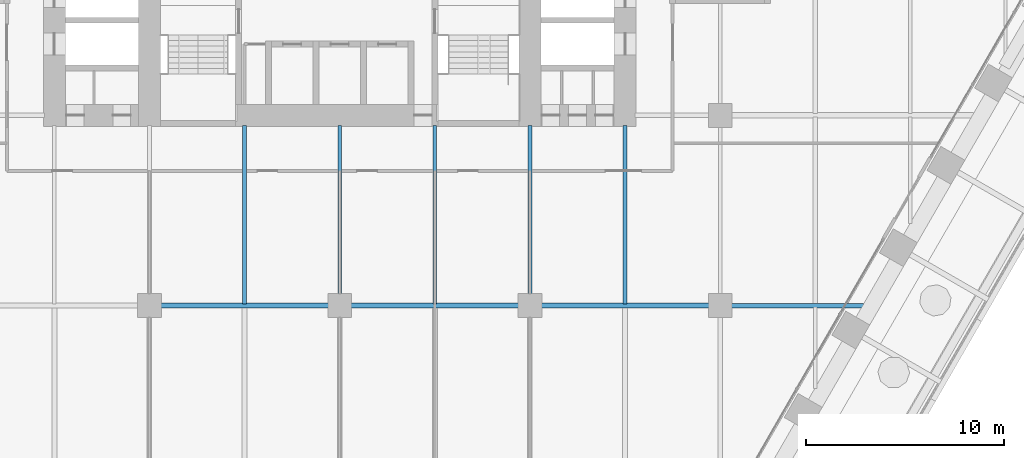
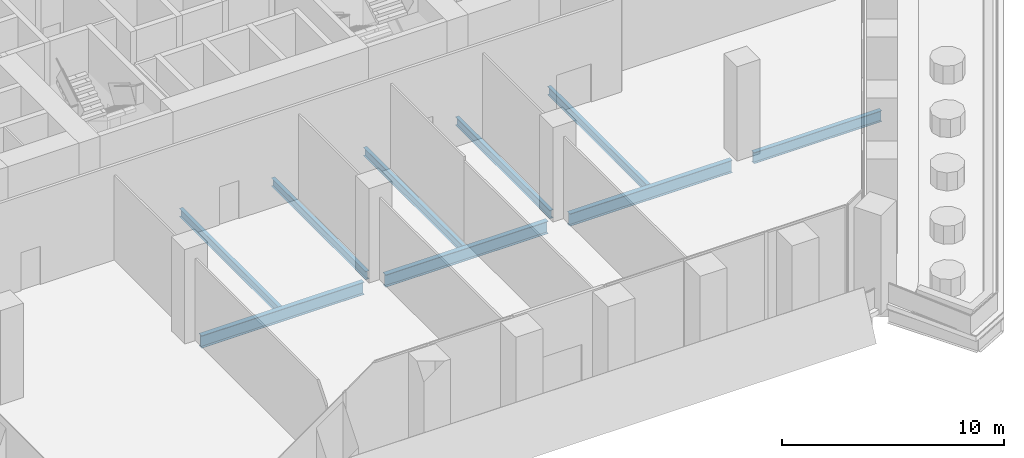
# One storey, part 6 of 32: 9 beams.
"""IFC4 building model written with IfcOpenShell, lengths in metres."""

from ifc_helpers import new_model, si_unit, direction, frame, origin, origin_2d, place, context, subcontext, project, spatial, i_section, extrude, material, material_profile, profile_set, type_object, element, save


model = new_model("IFC4")

# Units and contexts
model_context = context("Model", 3, precision=1e-05, world=origin(), true_north=direction((0.0, 1.0)))
body_context = subcontext(model_context, "Body", "Model", "MODEL_VIEW")
ifc_project = project(units=[si_unit("LENGTHUNIT", "METRE"), si_unit("AREAUNIT", "SQUARE_METRE"), si_unit("VOLUMEUNIT", "CUBIC_METRE"), si_unit("PLANEANGLEUNIT", "RADIAN"), si_unit("MASSUNIT", "GRAM", prefix="KILO")], contexts=[model_context])

# Site, building, storey
site_placement = place(None, origin())
site = spatial("IfcSite", under=ifc_project, at=site_placement, CompositionType="ELEMENT")
building_placement = place(site_placement, origin())
building = spatial("IfcBuilding", under=site, at=building_placement, Name="Kolab Exchange Tower", CompositionType="ELEMENT")
storey_placement = place(building_placement, frame((0.0, 0.0, 60.89990234375)))
storey = spatial("IfcBuildingStorey", under=building, at=storey_placement, Name="L11", CompositionType="ELEMENT", Elevation=60.89990234375)

# Beams
ifc_material = material(Name="Steel S355", Category="steel")
ifc_material_profile_1 = material_profile(ifc_material, i_section(OverallWidth=0.18994140625, OverallDepth=0.45703125, WebThickness=0.009033203125, FlangeThickness=0.014404296875, at=origin_2d()), Name="W460X74")
ifc_profile_set_1 = profile_set([ifc_material_profile_1], Name="Steel S355")
beam_type_1 = type_object("IfcBeamType", Name="FLOOR BEAM W460X74", PredefinedType="BEAM", material=ifc_profile_set_1)
beam_1_placement = place(storey_placement, frame((-4.800048828125, -19.113037109375, -0.478515625), z_axis=(0.0, 1.0, 0.0), x_axis=(-1.0, 0.0, 0.0)))
element("IfcBeam", 1, at=beam_1_placement, inside=storey, type_object=beam_type_1, Name="beam/L11/fr/027", PredefinedType="BEAM", context=body_context, shape_type="SweptSolid", body=[
    extrude(i_section(OverallWidth=0.18994140625, OverallDepth=0.45703125, WebThickness=0.009033203125, FlangeThickness=0.014404296875, at=origin_2d()), origin(), (0.0, 0.0, 1.0), 9.0029296875),
])
beam_2_placement = place(storey_placement, frame((0.0, -18.639892578125, -0.478515625), z_axis=(0.0, 1.0, 0.0), x_axis=(-1.0, 0.0, 0.0)))
element("IfcBeam", 2, at=beam_2_placement, inside=storey, type_object=beam_type_1, Name="beam/L11/fr/031", PredefinedType="BEAM", context=body_context, shape_type="SweptSolid", body=[
    extrude(i_section(OverallWidth=0.18994140625, OverallDepth=0.45703125, WebThickness=0.009033203125, FlangeThickness=0.014404296875, at=origin_2d()), origin(), (0.0, 0.0, 1.0), 8.52978515625),
])
beam_3_placement = place(storey_placement, frame((4.800048828125, -19.113037109375, -0.478515625), z_axis=(0.0, 1.0, 0.0), x_axis=(-1.0, 0.0, 0.0)))
element("IfcBeam", 3, at=beam_3_placement, inside=storey, type_object=beam_type_1, Name="beam/L11/fr/035", PredefinedType="BEAM", context=body_context, shape_type="SweptSolid", body=[
    extrude(i_section(OverallWidth=0.18994140625, OverallDepth=0.45703125, WebThickness=0.009033203125, FlangeThickness=0.014404296875, at=origin_2d()), origin(), (0.0, 0.0, 1.0), 9.0029296875),
])
beam_4_placement = place(storey_placement, frame((9.60009765625, -18.639892578125, -0.478515625), z_axis=(0.0, 1.0, 0.0), x_axis=(-1.0, 0.0, 0.0)))
element("IfcBeam", 4, at=beam_4_placement, inside=storey, type_object=beam_type_1, Name="beam/L11/fr/039", PredefinedType="BEAM", context=body_context, shape_type="SweptSolid", body=[
    extrude(i_section(OverallWidth=0.18994140625, OverallDepth=0.45703125, WebThickness=0.009033203125, FlangeThickness=0.014404296875, at=origin_2d()), origin(), (0.0, 0.0, 1.0), 8.52978515625),
])
beam_5_placement = place(storey_placement, frame((14.39990234375, -19.113037109375, -0.478515625), z_axis=(0.0, 1.0, 0.0), x_axis=(-1.0, 0.0, 0.0)))
element("IfcBeam", 5, at=beam_5_placement, inside=storey, type_object=beam_type_1, Name="beam/L11/fr/043", PredefinedType="BEAM", context=body_context, shape_type="SweptSolid", body=[
    extrude(i_section(OverallWidth=0.18994140625, OverallDepth=0.45703125, WebThickness=0.009033203125, FlangeThickness=0.014404296875, at=origin_2d()), origin(), (0.0, 0.0, 1.0), 9.0029296875),
])
ifc_material_profile_2 = material_profile(ifc_material, i_section(OverallWidth=0.22802734375, OverallDepth=0.60791015625, WebThickness=0.01123046875, FlangeThickness=0.017333984375, at=origin_2d()), Name="W610X113")
ifc_profile_set_2 = profile_set([ifc_material_profile_2], Name="Steel S355")
beam_type_2 = type_object("IfcBeamType", Name="FLOOR GIRDER W610X113", PredefinedType="BEAM", material=ifc_profile_set_2)
beam_6_placement = place(storey_placement, frame((19.760009765625, -19.199951171875, -0.553955078125), z_axis=(1.0, 0.0, 0.0), x_axis=(0.0, 1.0, 0.0)))
element("IfcBeam", 6, at=beam_6_placement, inside=storey, type_object=beam_type_2, Name="beam/L11/gd/020", PredefinedType="BEAM", context=body_context, shape_type="SweptSolid", body=[
    extrude(i_section(OverallWidth=0.22802734375, OverallDepth=0.60791015625, WebThickness=0.01123046875, FlangeThickness=0.017333984375, at=origin_2d()), origin(), (0.0, 0.0, 1.0), 6.671142578125),
])
ifc_material_profile_3 = material_profile(ifc_material, i_section(OverallWidth=0.25390625, OverallDepth=0.68408203125, WebThickness=0.012451171875, FlangeThickness=0.018798828125, at=origin_2d()), Name="W690X140")
ifc_profile_set_3 = profile_set([ifc_material_profile_3], Name="Steel S355")
beam_type_3 = type_object("IfcBeamType", Name="FLOOR GIRDER W690X140", PredefinedType="BEAM", material=ifc_profile_set_3)
for number, where, z_axis, x_axis, name in (
    (7, (-9.0400390625, -19.199951171875, -0.591796875), (1.0, 0.0, 0.0), (0.0, 1.0, 0.0), "beam/L11/gd/011"),
    (8, (0.56005859375, -19.199951171875, -0.591796875), (1.0, 0.0, 0.0), (0.0, 1.0, 0.0), "beam/L11/gd/013"),
    (9, (10.159912109375, -19.199951171875, -0.591796875), (1.0, 0.0, 0.0), (0.0, 1.0, 0.0), "beam/L11/gd/015"),
):
    element("IfcBeam", number, at=place(storey_placement, frame(where, z_axis=z_axis, x_axis=x_axis)), inside=storey, type_object=beam_type_3, Name=name, PredefinedType="BEAM", context=body_context, shape_type="SweptSolid", body=[
        extrude(i_section(OverallWidth=0.25390625, OverallDepth=0.68408203125, WebThickness=0.012451171875, FlangeThickness=0.018798828125, at=origin_2d()), origin(), (0.0, 0.0, 1.0), 8.47998046875),
    ])

save(model, "model.ifc")
